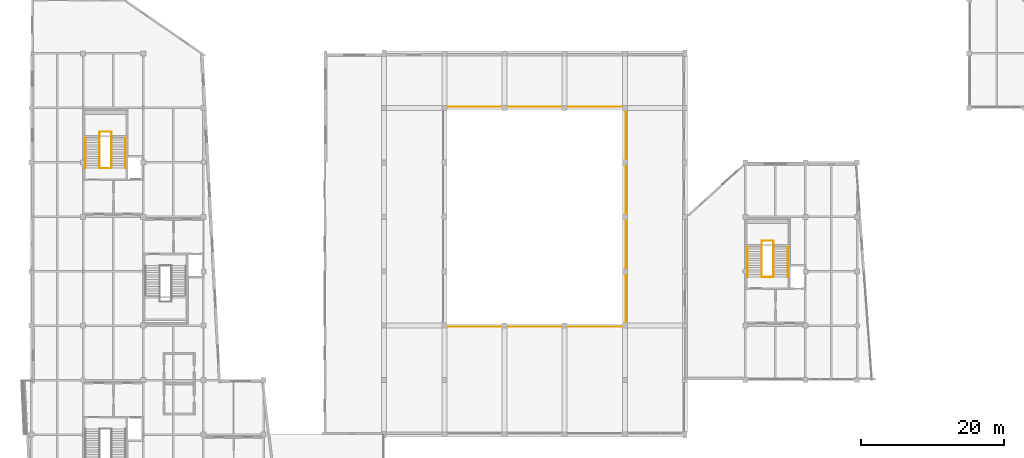
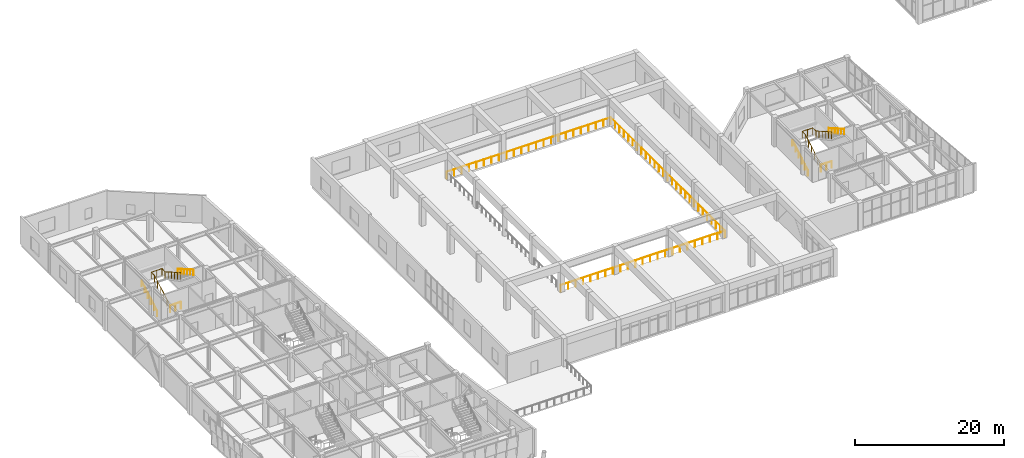
# One storey, part 71 of 72: 11 railings.
"""IFC4 building model written with IfcOpenShell, lengths in metres."""

from ifc_helpers import new_model, si_unit, direction, frame, origin, origin_2d, place, context, subcontext, project, spatial, circle, extrude, material, type_object, element, save


model = new_model("IFC4")

# Units and contexts
model_context = context("Model", 3, precision=1e-05, world=origin(), true_north=direction((0.0, 1.0)))
body_context = subcontext(model_context, "Body", "Model", "MODEL_VIEW")
ifc_project = project(units=[si_unit("LENGTHUNIT", "METRE"), si_unit("AREAUNIT", "SQUARE_METRE"), si_unit("VOLUMEUNIT", "CUBIC_METRE"), si_unit("PLANEANGLEUNIT", "RADIAN"), si_unit("MASSUNIT", "GRAM", prefix="KILO")], contexts=[model_context])

# Site, building, storey
site_placement = place(None, origin())
site = spatial("IfcSite", under=ifc_project, at=site_placement, CompositionType="ELEMENT")
building_placement = place(site_placement, origin())
building = spatial("IfcBuilding", under=site, at=building_placement, Name="Xicomal Pleat Aquarium", CompositionType="ELEMENT")
storey_placement = place(building_placement, frame((0.0, 0.0, 10.5)))
storey = spatial("IfcBuildingStorey", under=building, at=storey_placement, Name="L03", CompositionType="ELEMENT", Elevation=10.5)

# Railings
ifc_material_1 = material(Name="Brushed stainless steel 316L", Category="steel")
railing_type_1 = type_object("IfcRailingType", Name="RAL-BAL-1120", PredefinedType="BALUSTRADE", material=ifc_material_1)
railing_1_placement = place(storey_placement, frame((60.449951171875, 45.449951171875, 0.0)))
element("IfcRailing", 1, at=railing_1_placement, inside=storey, type_object=railing_type_1, Name="L03 void safety balustrade BAL-L03-OT-S", PredefinedType="BALUSTRADE", context=body_context, shape_type="SweptSolid", body=[
    extrude(circle(Radius=0.02392578125, at=origin_2d()), frame((0.0, 0.0, 1.09619140625), z_axis=(1.0, 0.0, 0.0), x_axis=(0.0, 1.0, 0.0)), (0.0, 0.0, 1.0), 25.5),
    extrude(circle(Radius=0.02099609375, at=origin_2d()), origin(), (0.0, 0.0, 1.0), 1.072021484375),
    extrude(circle(Radius=0.02099609375, at=origin_2d()), frame((1.1591796875, 0.0, 0.0)), (0.0, 0.0, 1.0), 1.072021484375),
    extrude(circle(Radius=0.02099609375, at=origin_2d()), frame((2.318115234375, 0.0, 0.0)), (0.0, 0.0, 1.0), 1.072021484375),
    extrude(circle(Radius=0.02099609375, at=origin_2d()), frame((3.477294921875, 0.0, 0.0)), (0.0, 0.0, 1.0), 1.072021484375),
    extrude(circle(Radius=0.02099609375, at=origin_2d()), frame((4.636474609375, 0.0, 0.0)), (0.0, 0.0, 1.0), 1.072021484375),
    extrude(circle(Radius=0.02099609375, at=origin_2d()), frame((5.79541015625, 0.0, 0.0)), (0.0, 0.0, 1.0), 1.072021484375),
    extrude(circle(Radius=0.02099609375, at=origin_2d()), frame((6.95458984375, 0.0, 0.0)), (0.0, 0.0, 1.0), 1.072021484375),
    extrude(circle(Radius=0.02099609375, at=origin_2d()), frame((8.113525390625, 0.0, 0.0)), (0.0, 0.0, 1.0), 1.072021484375),
    extrude(circle(Radius=0.02099609375, at=origin_2d()), frame((9.272705078125, 0.0, 0.0)), (0.0, 0.0, 1.0), 1.072021484375),
    extrude(circle(Radius=0.02099609375, at=origin_2d()), frame((10.431884765625, 0.0, 0.0)), (0.0, 0.0, 1.0), 1.072021484375),
    extrude(circle(Radius=0.02099609375, at=origin_2d()), frame((11.5908203125, 0.0, 0.0)), (0.0, 0.0, 1.0), 1.072021484375),
    extrude(circle(Radius=0.02099609375, at=origin_2d()), frame((12.75, 0.0, 0.0)), (0.0, 0.0, 1.0), 1.072021484375),
    extrude(circle(Radius=0.02099609375, at=origin_2d()), frame((13.9091796875, 0.0, 0.0)), (0.0, 0.0, 1.0), 1.072021484375),
    extrude(circle(Radius=0.02099609375, at=origin_2d()), frame((15.068115234375, 0.0, 0.0)), (0.0, 0.0, 1.0), 1.072021484375),
    extrude(circle(Radius=0.02099609375, at=origin_2d()), frame((16.227294921875, 0.0, 0.0)), (0.0, 0.0, 1.0), 1.072021484375),
    extrude(circle(Radius=0.02099609375, at=origin_2d()), frame((17.386474609375, 0.0, 0.0)), (0.0, 0.0, 1.0), 1.072021484375),
    extrude(circle(Radius=0.02099609375, at=origin_2d()), frame((18.54541015625, 0.0, 0.0)), (0.0, 0.0, 1.0), 1.072021484375),
    extrude(circle(Radius=0.02099609375, at=origin_2d()), frame((19.70458984375, 0.0, 0.0)), (0.0, 0.0, 1.0), 1.072021484375),
    extrude(circle(Radius=0.02099609375, at=origin_2d()), frame((20.863525390625, 0.0, 0.0)), (0.0, 0.0, 1.0), 1.072021484375),
    extrude(circle(Radius=0.02099609375, at=origin_2d()), frame((22.022705078125, 0.0, 0.0)), (0.0, 0.0, 1.0), 1.072021484375),
    extrude(circle(Radius=0.02099609375, at=origin_2d()), frame((23.181884765625, 0.0, 0.0)), (0.0, 0.0, 1.0), 1.072021484375),
    extrude(circle(Radius=0.02099609375, at=origin_2d()), frame((24.3408203125, 0.0, 0.0)), (0.0, 0.0, 1.0), 1.072021484375),
    extrude(circle(Radius=0.02099609375, at=origin_2d()), frame((25.5, 0.0, 0.0)), (0.0, 0.0, 1.0), 1.072021484375),
])
railing_2_placement = place(storey_placement, frame((60.449951171875, 76.14990234375, 0.0)))
element("IfcRailing", 2, at=railing_2_placement, inside=storey, type_object=railing_type_1, Name="L03 void safety balustrade BAL-L03-OT-N", PredefinedType="BALUSTRADE", context=body_context, shape_type="SweptSolid", body=[
    extrude(circle(Radius=0.02392578125, at=origin_2d()), frame((0.0, 0.0, 1.09619140625), z_axis=(1.0, 0.0, 0.0), x_axis=(0.0, 1.0, 0.0)), (0.0, 0.0, 1.0), 25.5),
    extrude(circle(Radius=0.02099609375, at=origin_2d()), origin(), (0.0, 0.0, 1.0), 1.072021484375),
    extrude(circle(Radius=0.02099609375, at=origin_2d()), frame((1.1591796875, 0.0, 0.0)), (0.0, 0.0, 1.0), 1.072021484375),
    extrude(circle(Radius=0.02099609375, at=origin_2d()), frame((2.318115234375, 0.0, 0.0)), (0.0, 0.0, 1.0), 1.072021484375),
    extrude(circle(Radius=0.02099609375, at=origin_2d()), frame((3.477294921875, 0.0, 0.0)), (0.0, 0.0, 1.0), 1.072021484375),
    extrude(circle(Radius=0.02099609375, at=origin_2d()), frame((4.636474609375, 0.0, 0.0)), (0.0, 0.0, 1.0), 1.072021484375),
    extrude(circle(Radius=0.02099609375, at=origin_2d()), frame((5.79541015625, 0.0, 0.0)), (0.0, 0.0, 1.0), 1.072021484375),
    extrude(circle(Radius=0.02099609375, at=origin_2d()), frame((6.95458984375, 0.0, 0.0)), (0.0, 0.0, 1.0), 1.072021484375),
    extrude(circle(Radius=0.02099609375, at=origin_2d()), frame((8.113525390625, 0.0, 0.0)), (0.0, 0.0, 1.0), 1.072021484375),
    extrude(circle(Radius=0.02099609375, at=origin_2d()), frame((9.272705078125, 0.0, 0.0)), (0.0, 0.0, 1.0), 1.072021484375),
    extrude(circle(Radius=0.02099609375, at=origin_2d()), frame((10.431884765625, 0.0, 0.0)), (0.0, 0.0, 1.0), 1.072021484375),
    extrude(circle(Radius=0.02099609375, at=origin_2d()), frame((11.5908203125, 0.0, 0.0)), (0.0, 0.0, 1.0), 1.072021484375),
    extrude(circle(Radius=0.02099609375, at=origin_2d()), frame((12.75, 0.0, 0.0)), (0.0, 0.0, 1.0), 1.072021484375),
    extrude(circle(Radius=0.02099609375, at=origin_2d()), frame((13.9091796875, 0.0, 0.0)), (0.0, 0.0, 1.0), 1.072021484375),
    extrude(circle(Radius=0.02099609375, at=origin_2d()), frame((15.068115234375, 0.0, 0.0)), (0.0, 0.0, 1.0), 1.072021484375),
    extrude(circle(Radius=0.02099609375, at=origin_2d()), frame((16.227294921875, 0.0, 0.0)), (0.0, 0.0, 1.0), 1.072021484375),
    extrude(circle(Radius=0.02099609375, at=origin_2d()), frame((17.386474609375, 0.0, 0.0)), (0.0, 0.0, 1.0), 1.072021484375),
    extrude(circle(Radius=0.02099609375, at=origin_2d()), frame((18.54541015625, 0.0, 0.0)), (0.0, 0.0, 1.0), 1.072021484375),
    extrude(circle(Radius=0.02099609375, at=origin_2d()), frame((19.70458984375, 0.0, 0.0)), (0.0, 0.0, 1.0), 1.072021484375),
    extrude(circle(Radius=0.02099609375, at=origin_2d()), frame((20.863525390625, 0.0, 0.0)), (0.0, 0.0, 1.0), 1.072021484375),
    extrude(circle(Radius=0.02099609375, at=origin_2d()), frame((22.022705078125, 0.0, 0.0)), (0.0, 0.0, 1.0), 1.072021484375),
    extrude(circle(Radius=0.02099609375, at=origin_2d()), frame((23.181884765625, 0.0, 0.0)), (0.0, 0.0, 1.0), 1.072021484375),
    extrude(circle(Radius=0.02099609375, at=origin_2d()), frame((24.3408203125, 0.0, 0.0)), (0.0, 0.0, 1.0), 1.072021484375),
    extrude(circle(Radius=0.02099609375, at=origin_2d()), frame((25.5, 0.0, 0.0)), (0.0, 0.0, 1.0), 1.072021484375),
])
railing_3_placement = place(storey_placement, frame((85.949951171875, 45.449951171875, 0.0)))
element("IfcRailing", 3, at=railing_3_placement, inside=storey, type_object=railing_type_1, Name="L03 void safety balustrade BAL-L03-OT-E", PredefinedType="BALUSTRADE", context=body_context, shape_type="SweptSolid", body=[
    extrude(circle(Radius=0.02392578125, at=origin_2d()), frame((0.0, 0.0, 1.09619140625), z_axis=(0.0, 1.0, 0.0), x_axis=(-1.0, 0.0, 0.0)), (0.0, 0.0, 1.0), 30.699951171875),
    extrude(circle(Radius=0.02099609375, at=origin_2d()), origin(), (0.0, 0.0, 1.0), 1.072021484375),
    extrude(circle(Radius=0.02099609375, at=origin_2d()), frame((0.0, 1.1806640625, 0.0)), (0.0, 0.0, 1.0), 1.072021484375),
    extrude(circle(Radius=0.02099609375, at=origin_2d()), frame((0.0, 2.361572265625, 0.0)), (0.0, 0.0, 1.0), 1.072021484375),
    extrude(circle(Radius=0.02099609375, at=origin_2d()), frame((0.0, 3.542236328125, 0.0)), (0.0, 0.0, 1.0), 1.072021484375),
    extrude(circle(Radius=0.02099609375, at=origin_2d()), frame((0.0, 4.72314453125, 0.0)), (0.0, 0.0, 1.0), 1.072021484375),
    extrude(circle(Radius=0.02099609375, at=origin_2d()), frame((0.0, 5.90380859375, 0.0)), (0.0, 0.0, 1.0), 1.072021484375),
    extrude(circle(Radius=0.02099609375, at=origin_2d()), frame((0.0, 7.084716796875, 0.0)), (0.0, 0.0, 1.0), 1.072021484375),
    extrude(circle(Radius=0.02099609375, at=origin_2d()), frame((0.0, 8.265380859375, 0.0)), (0.0, 0.0, 1.0), 1.072021484375),
    extrude(circle(Radius=0.02099609375, at=origin_2d()), frame((0.0, 9.446044921875, 0.0)), (0.0, 0.0, 1.0), 1.072021484375),
    extrude(circle(Radius=0.02099609375, at=origin_2d()), frame((0.0, 10.626953125, 0.0)), (0.0, 0.0, 1.0), 1.072021484375),
    extrude(circle(Radius=0.02099609375, at=origin_2d()), frame((0.0, 11.8076171875, 0.0)), (0.0, 0.0, 1.0), 1.072021484375),
    extrude(circle(Radius=0.02099609375, at=origin_2d()), frame((0.0, 12.988525390625, 0.0)), (0.0, 0.0, 1.0), 1.072021484375),
    extrude(circle(Radius=0.02099609375, at=origin_2d()), frame((0.0, 14.169189453125, 0.0)), (0.0, 0.0, 1.0), 1.072021484375),
    extrude(circle(Radius=0.02099609375, at=origin_2d()), frame((0.0, 15.35009765625, 0.0)), (0.0, 0.0, 1.0), 1.072021484375),
    extrude(circle(Radius=0.02099609375, at=origin_2d()), frame((0.0, 16.53076171875, 0.0)), (0.0, 0.0, 1.0), 1.072021484375),
    extrude(circle(Radius=0.02099609375, at=origin_2d()), frame((0.0, 17.71142578125, 0.0)), (0.0, 0.0, 1.0), 1.072021484375),
    extrude(circle(Radius=0.02099609375, at=origin_2d()), frame((0.0, 18.892333984375, 0.0)), (0.0, 0.0, 1.0), 1.072021484375),
    extrude(circle(Radius=0.02099609375, at=origin_2d()), frame((0.0, 20.072998046875, 0.0)), (0.0, 0.0, 1.0), 1.072021484375),
    extrude(circle(Radius=0.02099609375, at=origin_2d()), frame((0.0, 21.25390625, 0.0)), (0.0, 0.0, 1.0), 1.072021484375),
    extrude(circle(Radius=0.02099609375, at=origin_2d()), frame((0.0, 22.4345703125, 0.0)), (0.0, 0.0, 1.0), 1.072021484375),
    extrude(circle(Radius=0.02099609375, at=origin_2d()), frame((0.0, 23.615234375, 0.0)), (0.0, 0.0, 1.0), 1.072021484375),
    extrude(circle(Radius=0.02099609375, at=origin_2d()), frame((0.0, 24.796142578125, 0.0)), (0.0, 0.0, 1.0), 1.072021484375),
    extrude(circle(Radius=0.02099609375, at=origin_2d()), frame((0.0, 25.976806640625, 0.0)), (0.0, 0.0, 1.0), 1.072021484375),
    extrude(circle(Radius=0.02099609375, at=origin_2d()), frame((0.0, 27.15771484375, 0.0)), (0.0, 0.0, 1.0), 1.072021484375),
    extrude(circle(Radius=0.02099609375, at=origin_2d()), frame((0.0, 28.33837890625, 0.0)), (0.0, 0.0, 1.0), 1.072021484375),
    extrude(circle(Radius=0.02099609375, at=origin_2d()), frame((0.0, 29.519287109375, 0.0)), (0.0, 0.0, 1.0), 1.072021484375),
    extrude(circle(Radius=0.02099609375, at=origin_2d()), frame((0.0, 30.699951171875, 0.0)), (0.0, 0.0, 1.0), 1.072021484375),
])
ifc_material_2 = material(Name="Brushed stainless steel 316L", Category="steel")
railing_type_2 = type_object("IfcRailingType", Name="RAL-HR-900", PredefinedType="HANDRAIL", material=ifc_material_2)
railing_4_placement = place(storey_placement, frame((10.52001953125, 67.6201171875, 0.0)))
element("IfcRailing", 4, at=railing_4_placement, inside=storey, type_object=railing_type_2, Name="ST-03-L03 flight 1 handrail", PredefinedType="HANDRAIL", context=body_context, shape_type="SweptSolid", body=[
    extrude(circle(Radius=0.02392578125, at=origin_2d()), frame((0.0, 0.0, 0.8759765625), z_axis=(0.0, 0.867526061965, 0.497391728732), x_axis=(-1.0, 0.0, 0.0)), (0.0, 0.0, 1.0), 4.824951171875),
    extrude(circle(Radius=0.02099609375, at=origin_2d()), origin(), (0.0, 0.0, 1.0), 0.851806640625),
    extrude(circle(Radius=0.02099609375, at=origin_2d()), frame((0.0, 0.837158203125, 0.47998046875)), (0.0, 0.0, 1.0), 0.851806640625),
    extrude(circle(Radius=0.02099609375, at=origin_2d()), frame((0.0, 1.67431640625, 0.9599609375)), (0.0, 0.0, 1.0), 0.851806640625),
    extrude(circle(Radius=0.02099609375, at=origin_2d()), frame((0.0, 2.511474609375, 1.43994140625)), (0.0, 0.0, 1.0), 0.851806640625),
    extrude(circle(Radius=0.02099609375, at=origin_2d()), frame((0.0, 3.3486328125, 1.919921875)), (0.0, 0.0, 1.0), 0.851806640625),
    extrude(circle(Radius=0.02099609375, at=origin_2d()), frame((0.0, 4.185791015625, 2.39990234375)), (0.0, 0.0, 1.0), 0.851806640625),
])
railing_5_placement = place(storey_placement, frame((16.139892578125, 71.805908203125, 2.39990234375)))
element("IfcRailing", 5, at=railing_5_placement, inside=storey, type_object=railing_type_2, Name="ST-03-L03 flight 2 handrail", PredefinedType="HANDRAIL", context=body_context, shape_type="SweptSolid", body=[
    extrude(circle(Radius=0.02392578125, at=origin_2d()), frame((0.0, 0.0, 0.8759765625), z_axis=(0.0, -0.86750422804, 0.497429808449), x_axis=(1.0, 0.0, 0.0)), (0.0, 0.0, 1.0), 4.8251953125),
    extrude(circle(Radius=0.02099609375, at=origin_2d()), origin(), (0.0, 0.0, 1.0), 0.851806640625),
    extrude(circle(Radius=0.02099609375, at=origin_2d()), frame((0.0, -0.837158203125, 0.47998046875)), (0.0, 0.0, 1.0), 0.851806640625),
    extrude(circle(Radius=0.02099609375, at=origin_2d()), frame((0.0, -1.67431640625, 0.9599609375)), (0.0, 0.0, 1.0), 0.851806640625),
    extrude(circle(Radius=0.02099609375, at=origin_2d()), frame((0.0, -2.511474609375, 1.440185546875)), (0.0, 0.0, 1.0), 0.851806640625),
    extrude(circle(Radius=0.02099609375, at=origin_2d()), frame((0.0, -3.3486328125, 1.920166015625)), (0.0, 0.0, 1.0), 0.851806640625),
    extrude(circle(Radius=0.02099609375, at=origin_2d()), frame((0.0, -4.185791015625, 2.400146484375)), (0.0, 0.0, 1.0), 0.851806640625),
])
railing_6_placement = place(storey_placement, frame((102.919921875, 52.419921875, 0.0)))
element("IfcRailing", 6, at=railing_6_placement, inside=storey, type_object=railing_type_2, Name="ST-07-L03 flight 1 handrail", PredefinedType="HANDRAIL", context=body_context, shape_type="SweptSolid", body=[
    extrude(circle(Radius=0.02392578125, at=origin_2d()), frame((0.0, 0.0, 0.8759765625), z_axis=(0.0, 0.867538579349, 0.497369895894), x_axis=(-1.0, 0.0, 0.0)), (0.0, 0.0, 1.0), 4.8251953125),
    extrude(circle(Radius=0.02099609375, at=origin_2d()), origin(), (0.0, 0.0, 1.0), 0.851806640625),
    extrude(circle(Radius=0.02099609375, at=origin_2d()), frame((0.0, 0.837158203125, 0.47998046875)), (0.0, 0.0, 1.0), 0.851806640625),
    extrude(circle(Radius=0.02099609375, at=origin_2d()), frame((0.0, 1.67431640625, 0.9599609375)), (0.0, 0.0, 1.0), 0.851806640625),
    extrude(circle(Radius=0.02099609375, at=origin_2d()), frame((0.0, 2.51171875, 1.43994140625)), (0.0, 0.0, 1.0), 0.851806640625),
    extrude(circle(Radius=0.02099609375, at=origin_2d()), frame((0.0, 3.348876953125, 1.919921875)), (0.0, 0.0, 1.0), 0.851806640625),
    extrude(circle(Radius=0.02099609375, at=origin_2d()), frame((0.0, 4.18603515625, 2.39990234375)), (0.0, 0.0, 1.0), 0.851806640625),
])
railing_7_placement = place(storey_placement, frame((108.5400390625, 56.60595703125, 2.39990234375)))
element("IfcRailing", 7, at=railing_7_placement, inside=storey, type_object=railing_type_2, Name="ST-07-L03 flight 2 handrail", PredefinedType="HANDRAIL", context=body_context, shape_type="SweptSolid", body=[
    extrude(circle(Radius=0.02392578125, at=origin_2d()), frame((0.0, 0.0, 0.8759765625), z_axis=(0.0, -0.867516747025, 0.497407975038), x_axis=(1.0, 0.0, 0.0)), (0.0, 0.0, 1.0), 4.8251953125),
    extrude(circle(Radius=0.02099609375, at=origin_2d()), origin(), (0.0, 0.0, 1.0), 0.851806640625),
    extrude(circle(Radius=0.02099609375, at=origin_2d()), frame((0.0, -0.837158203125, 0.47998046875)), (0.0, 0.0, 1.0), 0.851806640625),
    extrude(circle(Radius=0.02099609375, at=origin_2d()), frame((0.0, -1.67431640625, 0.9599609375)), (0.0, 0.0, 1.0), 0.851806640625),
    extrude(circle(Radius=0.02099609375, at=origin_2d()), frame((0.0, -2.51171875, 1.440185546875)), (0.0, 0.0, 1.0), 0.851806640625),
    extrude(circle(Radius=0.02099609375, at=origin_2d()), frame((0.0, -3.348876953125, 1.920166015625)), (0.0, 0.0, 1.0), 0.851806640625),
    extrude(circle(Radius=0.02099609375, at=origin_2d()), frame((0.0, -4.18603515625, 2.400146484375)), (0.0, 0.0, 1.0), 0.851806640625),
])
ifc_material_3 = material(Name="Brushed stainless steel 316L", Category="steel")
railing_type_3 = type_object("IfcRailingType", Name="RAL-STG-1120", PredefinedType="GUARDRAIL", material=ifc_material_3)
railing_8_placement = place(storey_placement, frame((12.5, 67.6201171875, 0.0)))
element("IfcRailing", 8, at=railing_8_placement, inside=storey, type_object=railing_type_3, Name="ST-03-L03 inner well guard", PredefinedType="GUARDRAIL", context=body_context, shape_type="SweptSolid", body=[
    extrude(circle(Radius=0.02392578125, at=origin_2d()), frame((0.0, 0.0, 1.09619140625), z_axis=(0.0, 0.867526061965, 0.497391728732), x_axis=(-1.0, 0.0, 0.0)), (0.0, 0.0, 1.0), 4.824951171875),
    extrude(circle(Radius=0.02392578125, at=origin_2d()), frame((0.0, 4.185791015625, 3.49609375), z_axis=(0.0, 1.0, 0.0), x_axis=(-1.0, 0.0, 0.0)), (0.0, 0.0, 1.0), 0.85009765625),
    extrude(circle(Radius=0.02392578125, at=origin_2d()), frame((0.0, 5.035888671875, 3.49609375), z_axis=(1.0, 0.0, 0.0), x_axis=(0.0, 1.0, 0.0)), (0.0, 0.0, 1.0), 1.659912109375),
    extrude(circle(Radius=0.02392578125, at=origin_2d()), frame((1.659912109375, 5.035888671875, 3.49609375), z_axis=(0.0, -1.0, 0.0), x_axis=(1.0, 0.0, 0.0)), (0.0, 0.0, 1.0), 0.85009765625),
    extrude(circle(Radius=0.02392578125, at=origin_2d()), frame((1.659912109375, 4.185791015625, 3.49609375), z_axis=(0.0, -0.86750422804, 0.497429808449), x_axis=(1.0, 0.0, 0.0)), (0.0, 0.0, 1.0), 4.8251953125),
    extrude(circle(Radius=0.02099609375, at=origin_2d()), origin(), (0.0, 0.0, 1.0), 1.072021484375),
    extrude(circle(Radius=0.02099609375, at=origin_2d()), frame((0.0, 0.837158203125, 0.47998046875)), (0.0, 0.0, 1.0), 1.072021484375),
    extrude(circle(Radius=0.02099609375, at=origin_2d()), frame((0.0, 1.67431640625, 0.9599609375)), (0.0, 0.0, 1.0), 1.072021484375),
    extrude(circle(Radius=0.02099609375, at=origin_2d()), frame((0.0, 2.511474609375, 1.43994140625)), (0.0, 0.0, 1.0), 1.072021484375),
    extrude(circle(Radius=0.02099609375, at=origin_2d()), frame((0.0, 3.3486328125, 1.919921875)), (0.0, 0.0, 1.0), 1.072021484375),
    extrude(circle(Radius=0.02099609375, at=origin_2d()), frame((0.0, 4.185791015625, 2.39990234375)), (0.0, 0.0, 1.0), 1.072021484375),
    extrude(circle(Radius=0.02099609375, at=origin_2d()), frame((0.0, 5.035888671875, 2.39990234375)), (0.0, 0.0, 1.0), 1.072021484375),
    extrude(circle(Radius=0.02099609375, at=origin_2d()), frame((0.830078125, 5.035888671875, 2.39990234375)), (0.0, 0.0, 1.0), 1.072021484375),
    extrude(circle(Radius=0.02099609375, at=origin_2d()), frame((1.659912109375, 5.035888671875, 2.39990234375)), (0.0, 0.0, 1.0), 1.072021484375),
    extrude(circle(Radius=0.02099609375, at=origin_2d()), frame((1.659912109375, 4.185791015625, 2.39990234375)), (0.0, 0.0, 1.0), 1.072021484375),
    extrude(circle(Radius=0.02099609375, at=origin_2d()), frame((1.659912109375, 3.3486328125, 2.8798828125)), (0.0, 0.0, 1.0), 1.072021484375),
    extrude(circle(Radius=0.02099609375, at=origin_2d()), frame((1.659912109375, 2.511474609375, 3.35986328125)), (0.0, 0.0, 1.0), 1.072021484375),
    extrude(circle(Radius=0.02099609375, at=origin_2d()), frame((1.659912109375, 1.67431640625, 3.840087890625)), (0.0, 0.0, 1.0), 1.072021484375),
    extrude(circle(Radius=0.02099609375, at=origin_2d()), frame((1.659912109375, 0.837158203125, 4.320068359375)), (0.0, 0.0, 1.0), 1.072021484375),
    extrude(circle(Radius=0.02099609375, at=origin_2d()), frame((1.659912109375, 0.0, 4.800048828125)), (0.0, 0.0, 1.0), 1.072021484375),
])
railing_9_placement = place(storey_placement, frame((12.5, 67.580078125, 0.0)))
element("IfcRailing", 9, at=railing_9_placement, inside=storey, type_object=railing_type_3, Name="ST-03-L03 floor landing slot guard", PredefinedType="GUARDRAIL", context=body_context, shape_type="SweptSolid", body=[
    extrude(circle(Radius=0.02392578125, at=origin_2d()), frame((0.0, 0.0, 1.09619140625), z_axis=(1.0, 0.0, 0.0), x_axis=(0.0, 1.0, 0.0)), (0.0, 0.0, 1.0), 1.659912109375),
    extrude(circle(Radius=0.02099609375, at=origin_2d()), origin(), (0.0, 0.0, 1.0), 1.072021484375),
    extrude(circle(Radius=0.02099609375, at=origin_2d()), frame((0.830078125, 0.0, 0.0)), (0.0, 0.0, 1.0), 1.072021484375),
    extrude(circle(Radius=0.02099609375, at=origin_2d()), frame((1.659912109375, 0.0, 0.0)), (0.0, 0.0, 1.0), 1.072021484375),
])
railing_10_placement = place(storey_placement, frame((104.89990234375, 52.419921875, 0.0)))
element("IfcRailing", 10, at=railing_10_placement, inside=storey, type_object=railing_type_3, Name="ST-07-L03 inner well guard", PredefinedType="GUARDRAIL", context=body_context, shape_type="SweptSolid", body=[
    extrude(circle(Radius=0.02392578125, at=origin_2d()), frame((0.0, 0.0, 1.09619140625), z_axis=(0.0, 0.867538579349, 0.497369895894), x_axis=(-1.0, 0.0, 0.0)), (0.0, 0.0, 1.0), 4.8251953125),
    extrude(circle(Radius=0.02392578125, at=origin_2d()), frame((0.0, 4.18603515625, 3.49609375), z_axis=(0.0, 1.0, 0.0), x_axis=(-1.0, 0.0, 0.0)), (0.0, 0.0, 1.0), 0.85009765625),
    extrude(circle(Radius=0.02392578125, at=origin_2d()), frame((0.0, 5.0361328125, 3.49609375), z_axis=(1.0, 0.0, 0.0), x_axis=(0.0, 1.0, 0.0)), (0.0, 0.0, 1.0), 1.66015625),
    extrude(circle(Radius=0.02392578125, at=origin_2d()), frame((1.66015625, 5.0361328125, 3.49609375), z_axis=(0.0, -1.0, 0.0), x_axis=(1.0, 0.0, 0.0)), (0.0, 0.0, 1.0), 0.85009765625),
    extrude(circle(Radius=0.02392578125, at=origin_2d()), frame((1.66015625, 4.18603515625, 3.49609375), z_axis=(0.0, -0.867516747025, 0.497407975038), x_axis=(1.0, 0.0, 0.0)), (0.0, 0.0, 1.0), 4.8251953125),
    extrude(circle(Radius=0.02099609375, at=origin_2d()), origin(), (0.0, 0.0, 1.0), 1.072021484375),
    extrude(circle(Radius=0.02099609375, at=origin_2d()), frame((0.0, 0.837158203125, 0.47998046875)), (0.0, 0.0, 1.0), 1.072021484375),
    extrude(circle(Radius=0.02099609375, at=origin_2d()), frame((0.0, 1.67431640625, 0.9599609375)), (0.0, 0.0, 1.0), 1.072021484375),
    extrude(circle(Radius=0.02099609375, at=origin_2d()), frame((0.0, 2.51171875, 1.43994140625)), (0.0, 0.0, 1.0), 1.072021484375),
    extrude(circle(Radius=0.02099609375, at=origin_2d()), frame((0.0, 3.348876953125, 1.919921875)), (0.0, 0.0, 1.0), 1.072021484375),
    extrude(circle(Radius=0.02099609375, at=origin_2d()), frame((0.0, 4.18603515625, 2.39990234375)), (0.0, 0.0, 1.0), 1.072021484375),
    extrude(circle(Radius=0.02099609375, at=origin_2d()), frame((0.0, 5.0361328125, 2.39990234375)), (0.0, 0.0, 1.0), 1.072021484375),
    extrude(circle(Radius=0.02099609375, at=origin_2d()), frame((0.830078125, 5.0361328125, 2.39990234375)), (0.0, 0.0, 1.0), 1.072021484375),
    extrude(circle(Radius=0.02099609375, at=origin_2d()), frame((1.66015625, 5.0361328125, 2.39990234375)), (0.0, 0.0, 1.0), 1.072021484375),
    extrude(circle(Radius=0.02099609375, at=origin_2d()), frame((1.66015625, 4.18603515625, 2.39990234375)), (0.0, 0.0, 1.0), 1.072021484375),
    extrude(circle(Radius=0.02099609375, at=origin_2d()), frame((1.66015625, 3.348876953125, 2.8798828125)), (0.0, 0.0, 1.0), 1.072021484375),
    extrude(circle(Radius=0.02099609375, at=origin_2d()), frame((1.66015625, 2.51171875, 3.35986328125)), (0.0, 0.0, 1.0), 1.072021484375),
    extrude(circle(Radius=0.02099609375, at=origin_2d()), frame((1.66015625, 1.67431640625, 3.840087890625)), (0.0, 0.0, 1.0), 1.072021484375),
    extrude(circle(Radius=0.02099609375, at=origin_2d()), frame((1.66015625, 0.837158203125, 4.320068359375)), (0.0, 0.0, 1.0), 1.072021484375),
    extrude(circle(Radius=0.02099609375, at=origin_2d()), frame((1.66015625, 0.0, 4.800048828125)), (0.0, 0.0, 1.0), 1.072021484375),
])
railing_11_placement = place(storey_placement, frame((104.89990234375, 52.3798828125, 0.0)))
element("IfcRailing", 11, at=railing_11_placement, inside=storey, type_object=railing_type_3, Name="ST-07-L03 floor landing slot guard", PredefinedType="GUARDRAIL", context=body_context, shape_type="SweptSolid", body=[
    extrude(circle(Radius=0.02392578125, at=origin_2d()), frame((0.0, 0.0, 1.09619140625), z_axis=(1.0, 0.0, 0.0), x_axis=(0.0, 1.0, 0.0)), (0.0, 0.0, 1.0), 1.66015625),
    extrude(circle(Radius=0.02099609375, at=origin_2d()), origin(), (0.0, 0.0, 1.0), 1.072021484375),
    extrude(circle(Radius=0.02099609375, at=origin_2d()), frame((0.830078125, 0.0, 0.0)), (0.0, 0.0, 1.0), 1.072021484375),
    extrude(circle(Radius=0.02099609375, at=origin_2d()), frame((1.66015625, 0.0, 0.0)), (0.0, 0.0, 1.0), 1.072021484375),
])

save(model, "model.ifc")
